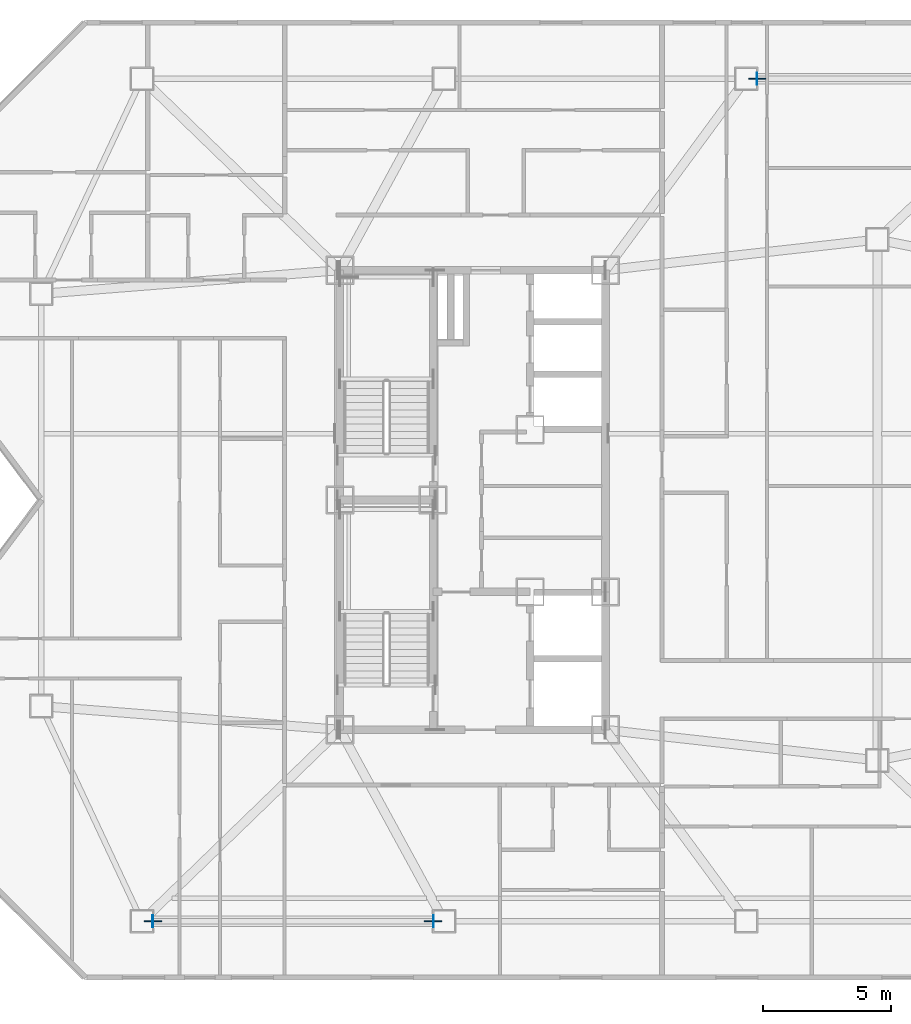
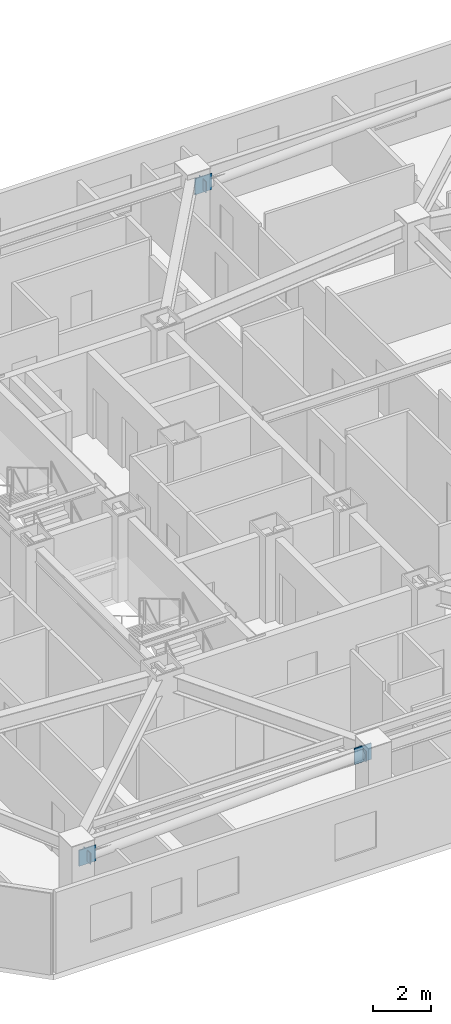
# One storey, part 3 of 13: 6 plates.
"""IFC4 building model written with IfcOpenShell, lengths in metres."""

from ifc_helpers import new_model, si_unit, direction, frame, origin, origin_2d, place, context, subcontext, project, spatial, rectangle, extrude, material, layer, layer_set, type_object, element, save


model = new_model("IFC4")

# Units and contexts
model_context = context("Model", 3, precision=1e-05, world=origin(), true_north=direction((0.0, 1.0)))
body_context = subcontext(model_context, "Body", "Model", "MODEL_VIEW")
ifc_project = project(units=[si_unit("LENGTHUNIT", "METRE"), si_unit("AREAUNIT", "SQUARE_METRE"), si_unit("VOLUMEUNIT", "CUBIC_METRE"), si_unit("PLANEANGLEUNIT", "RADIAN"), si_unit("MASSUNIT", "GRAM", prefix="KILO")], contexts=[model_context])

# Site, building, storey
site_placement = place(None, origin())
site = spatial("IfcSite", under=ifc_project, at=site_placement, CompositionType="ELEMENT")
building_placement = place(site_placement, origin())
building = spatial("IfcBuilding", under=site, at=building_placement, Name="Khamvora Tower", CompositionType="ELEMENT")
storey_placement = place(building_placement, frame((0.0, 0.0, 196.050048828125)))
storey = spatial("IfcBuildingStorey", under=building, at=storey_placement, Name="L50", CompositionType="ELEMENT", Elevation=196.050048828125)

# Plates
ifc_material_1 = material(Name="Steel S355", Category="steel")
ifc_layer_1 = layer(ifc_material_1, 0.02490234375)
ifc_layer_set_1 = layer_set([ifc_layer_1], Name="Steel S355")
plate_type_1 = type_object("IfcPlateType", Name="PL-CAP-25", PredefinedType="SHEET", material=ifc_layer_set_1)
for number, where, z_axis, x_axis, name in (
    (1, (21.66796875, 11.5, 2.4638671875), (0.0, 0.0, 1.0), (1.0, 0.0, 0.0), "L50 hollow section steel end cap plate 0980"),
    (2, (32.6650390625, 11.5, 2.912109375), (0.0, 0.0, 1.0), (1.0, 0.0, 0.0), "L50 hollow section steel end cap plate 0981"),
    (3, (45.3349609375, 44.5, 2.4638671875), (0.0, 0.0, 1.0), (1.0, 0.0, 0.0), "L50 hollow section steel end cap plate 0982"),
):
    element("IfcPlate", number, at=place(storey_placement, frame(where, z_axis=z_axis, x_axis=x_axis)), inside=storey, type_object=plate_type_1, Name=name, PredefinedType="SHEET", context=body_context, shape_type="SweptSolid", body=[
        extrude(rectangle(XDim=0.02490234375, YDim=0.466064453125, at=origin_2d()), origin(), (0.0, 0.0, 1.0), 0.466064453125),
    ])
ifc_material_2 = material(Name="Steel S460", Category="steel")
ifc_layer_2 = layer(ifc_material_2, 0.0400390625)
ifc_layer_set_2 = layer_set([ifc_layer_2], Name="Steel S460")
plate_type_2 = type_object("IfcPlateType", Name="PLT-GUS-40", PredefinedType="SHEET", material=ifc_layer_set_2)
for number, where, z_axis, x_axis, name in (
    (4, (21.679931640625, 11.5, 2.35791015625), (0.0, 0.0, 1.0), (1.0, 0.0, 0.0), "L50 brace connection node gusset plate 0317"),
    (5, (32.653076171875, 11.5, 2.80419921875), (0.0, 0.0, 1.0), (1.0, 0.0, 0.0), "L50 brace connection node gusset plate 0318"),
    (6, (45.346923828125, 44.5, 2.35791015625), (0.0, 0.0, 1.0), (1.0, 0.0, 0.0), "L50 brace connection node gusset plate 0319"),
):
    element("IfcPlate", number, at=place(storey_placement, frame(where, z_axis=z_axis, x_axis=x_axis)), inside=storey, type_object=plate_type_2, Name=name, PredefinedType="SHEET", context=body_context, shape_type="SweptSolid", body=[
        extrude(rectangle(XDim=0.679931640625, YDim=0.0400390625, at=origin_2d()), origin(), (0.0, 0.0, 1.0), 0.679931640625),
    ])

save(model, "model.ifc")
